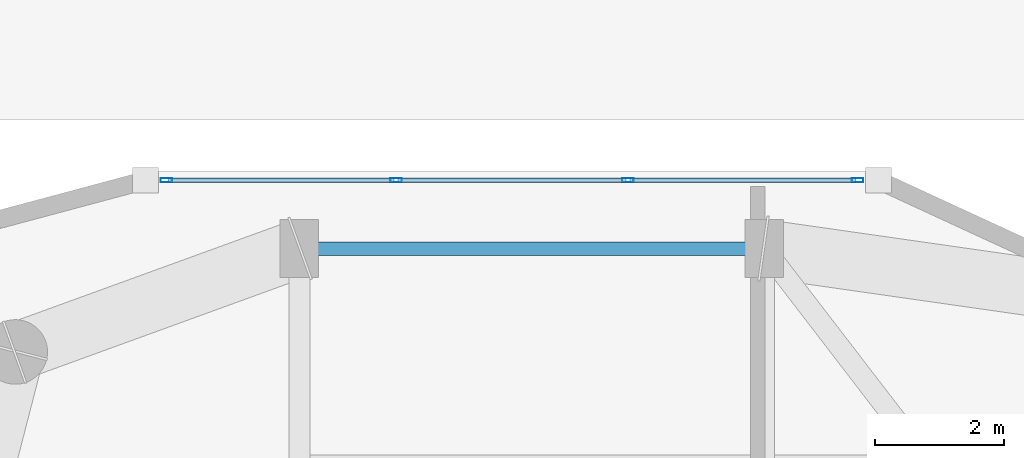
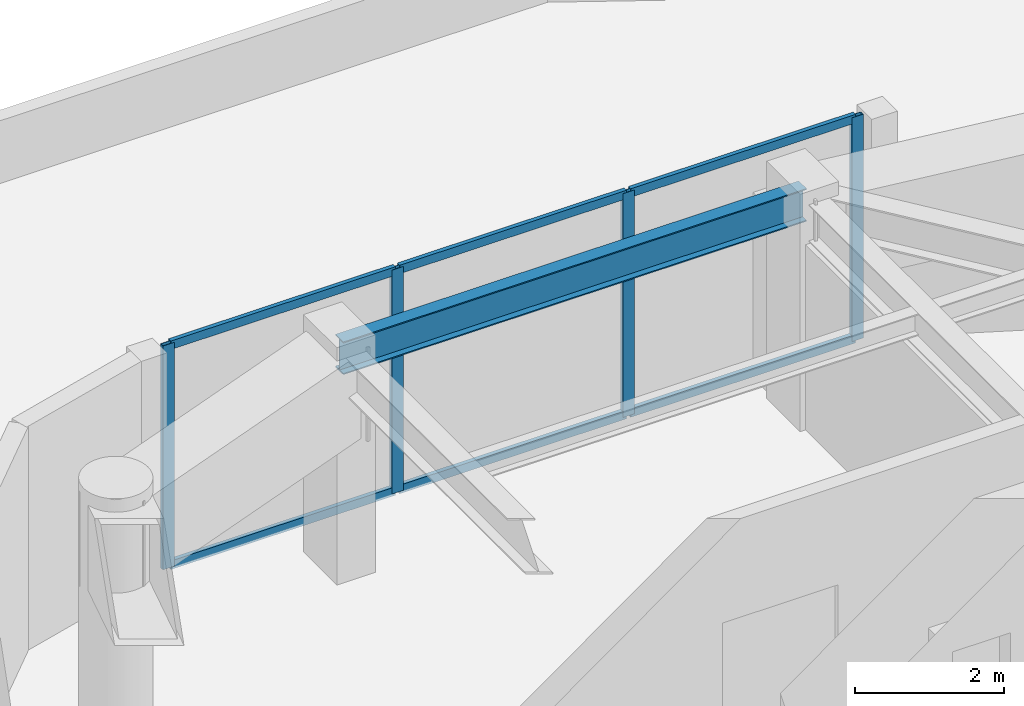
# One storey, part 6 of 16: 10 members, 1 beam, 1 element without a shape of its own.
"""IFC4 building model written with IfcOpenShell, lengths in metres."""

from ifc_helpers import new_model, si_unit, direction, frame, origin, origin_2d, place, context, subcontext, project, spatial, hollow_rectangle, i_section, extrude, material, layer, layer_set, material_profile, profile_set, type_object, element, aggregate, save


model = new_model("IFC4")

# Units and contexts
model_context = context("Model", 3, precision=1e-05, world=origin(), true_north=direction((0.0, 1.0)))
body_context = subcontext(model_context, "Body", "Model", "MODEL_VIEW")
ifc_project = project(units=[si_unit("LENGTHUNIT", "METRE"), si_unit("AREAUNIT", "SQUARE_METRE"), si_unit("VOLUMEUNIT", "CUBIC_METRE"), si_unit("PLANEANGLEUNIT", "RADIAN"), si_unit("MASSUNIT", "GRAM", prefix="KILO")], contexts=[model_context])

# Site, building, storey
site_placement = place(None, origin())
site = spatial("IfcSite", under=ifc_project, at=site_placement, CompositionType="ELEMENT")
building_placement = place(site_placement, origin())
building = spatial("IfcBuilding", under=site, at=building_placement, Name="Kiyonajd Concourse Tower", CompositionType="ELEMENT")
storey_placement = place(building_placement, frame((0.0, 0.0, 255.0)))
storey = spatial("IfcBuildingStorey", under=building, at=storey_placement, Name="L64", CompositionType="ELEMENT", Elevation=255.0)

# Beam
ifc_material_1 = material(Name="Steel ASTM A992 Grade 50", Category="steel")
ifc_material_profile_1 = material_profile(ifc_material_1, i_section(OverallWidth=0.2109375, OverallDepth=0.5390625, WebThickness=0.01171875, FlangeThickness=0.018798828125, at=origin_2d()), Name="W530X109")
ifc_profile_set_1 = profile_set([ifc_material_profile_1], Name="Steel ASTM A992 Grade 50")
beam_type = type_object("IfcBeamType", Name="BM-SPAN-530B", PredefinedType="SPANDREL", material=ifc_profile_set_1)
beam_placement = place(storey_placement, frame((39.60009765625, 52.199951171875, 3.410400390625), z_axis=(-1.0, 0.0, 0.0), x_axis=(0.0, -1.0, 0.0)))
element("IfcBeam", 1, at=beam_placement, inside=storey, type_object=beam_type, Name="L64 Perimeter Bundled Tube Spandrel", PredefinedType="SPANDREL", context=body_context, shape_type="SweptSolid", body=[
    extrude(i_section(OverallWidth=0.2109375, OverallDepth=0.5390625, WebThickness=0.01171875, FlangeThickness=0.018798828125, at=origin_2d()), origin(), (0.0, 0.0, 1.0), 7.2001953125),
])

# Curtain wall, members
ifc_material_2 = material(Name="Thermally Broken Anodised Aluminium", Category="aluminium")
ifc_layer = layer(ifc_material_2, 0.179931640625)
ifc_layer_set = layer_set([ifc_layer], Name="Thermally Broken Anodised Aluminium")
curtain_wall_type = type_object("IfcCurtainWallType", Name="CW-SYS-04", PredefinedType="NOTDEFINED", material=ifc_layer_set)
curtain_wall_placement = place(storey_placement, origin())
curtain_wall = element("IfcCurtainWall", 2, at=curtain_wall_placement, inside=storey, type_object=curtain_wall_type, Name="L64 Unitised Curtain Wall CW4", PredefinedType="NOTDEFINED")
ifc_material_profile_2 = material_profile(ifc_material_2, hollow_rectangle(XDim=0.06494140625, YDim=0.179931640625, WallThickness=0.00390625, at=origin_2d()), Name="MULL-65x180")
ifc_profile_set_2 = profile_set([ifc_material_profile_2], Name="Thermally Broken Anodised Aluminium")
member_type_1 = type_object("IfcMemberType", Name="MB-CW-MULL1", PredefinedType="MULLION", material=ifc_profile_set_2)
member_1_placement = place(storey_placement, frame((30.3408203125, 53.260009765625, 0.0), z_axis=(0.0, 0.0, 1.0), x_axis=(0.0, 1.0, 0.0)))
member_1 = element("IfcMember", 3, at=member_1_placement, type_object=member_type_1, Name="CW4 mullion 1", PredefinedType="MULLION", context=body_context, shape_type="SweptSolid", body=[
    extrude(hollow_rectangle(XDim=0.06494140625, YDim=0.179931640625, WallThickness=0.00390625, at=origin_2d()), origin(), (0.0, 0.0, 1.0), 3.679931640625),
])
member_2_placement = place(storey_placement, frame((33.898681640625, 53.260009765625, 0.0), z_axis=(0.0, 0.0, 1.0), x_axis=(0.0, 1.0, 0.0)))
member_2 = element("IfcMember", 4, at=member_2_placement, type_object=member_type_1, Name="CW4 mullion 2", PredefinedType="MULLION", context=body_context, shape_type="SweptSolid", body=[
    extrude(hollow_rectangle(XDim=0.06494140625, YDim=0.179931640625, WallThickness=0.00390625, at=origin_2d()), origin(), (0.0, 0.0, 1.0), 3.679931640625),
])
member_3_placement = place(storey_placement, frame((37.489013671875, 53.260009765625, 0.0), z_axis=(0.0, 0.0, 1.0), x_axis=(0.0, 1.0, 0.0)))
member_3 = element("IfcMember", 5, at=member_3_placement, type_object=member_type_1, Name="CW4 mullion 3", PredefinedType="MULLION", context=body_context, shape_type="SweptSolid", body=[
    extrude(hollow_rectangle(XDim=0.06494140625, YDim=0.179931640625, WallThickness=0.00390625, at=origin_2d()), origin(), (0.0, 0.0, 1.0), 3.679931640625),
])
member_4_placement = place(storey_placement, frame((41.046875, 53.260009765625, 0.0), z_axis=(0.0, 0.0, 1.0), x_axis=(0.0, 1.0, 0.0)))
member_4 = element("IfcMember", 6, at=member_4_placement, type_object=member_type_1, Name="CW4 mullion 4", PredefinedType="MULLION", context=body_context, shape_type="SweptSolid", body=[
    extrude(hollow_rectangle(XDim=0.06494140625, YDim=0.179931640625, WallThickness=0.00390625, at=origin_2d()), origin(), (0.0, 0.0, 1.0), 3.679931640625),
])
ifc_material_profile_3 = material_profile(ifc_material_2, hollow_rectangle(XDim=0.06494140625, YDim=0.139892578125, WallThickness=0.00390625, at=origin_2d()), Name="TRAN-65x140")
ifc_profile_set_3 = profile_set([ifc_material_profile_3], Name="Thermally Broken Anodised Aluminium")
member_type_2 = type_object("IfcMemberType", Name="MB-CW-TRAN1", PredefinedType="USERDEFINED", material=ifc_profile_set_3)
member_5_placement = place(storey_placement, frame((30.373291015625, 53.260009765625, 0.032470703125), z_axis=(1.0, 0.0, 0.0), x_axis=(0.0, 1.0, 0.0)))
member_5 = element("IfcMember", 7, at=member_5_placement, type_object=member_type_2, Name="CW4 transom 1.1", ObjectType="TRANSOM", PredefinedType="USERDEFINED", context=body_context, shape_type="SweptSolid", body=[
    extrude(hollow_rectangle(XDim=0.06494140625, YDim=0.139892578125, WallThickness=0.00390625, at=origin_2d()), origin(), (0.0, 0.0, 1.0), 3.492919921875),
])
member_6_placement = place(storey_placement, frame((30.373291015625, 53.260009765625, 3.6474609375), z_axis=(1.0, 0.0, 0.0), x_axis=(0.0, 1.0, 0.0)))
member_6 = element("IfcMember", 8, at=member_6_placement, type_object=member_type_2, Name="CW4 transom 1.2", ObjectType="TRANSOM", PredefinedType="USERDEFINED", context=body_context, shape_type="SweptSolid", body=[
    extrude(hollow_rectangle(XDim=0.06494140625, YDim=0.139892578125, WallThickness=0.00390625, at=origin_2d()), origin(), (0.0, 0.0, 1.0), 3.492919921875),
])
member_7_placement = place(storey_placement, frame((33.93115234375, 53.260009765625, 0.032470703125), z_axis=(1.0, 0.0, 0.0), x_axis=(0.0, 1.0, 0.0)))
member_7 = element("IfcMember", 9, at=member_7_placement, type_object=member_type_2, Name="CW4 transom 2.1", ObjectType="TRANSOM", PredefinedType="USERDEFINED", context=body_context, shape_type="SweptSolid", body=[
    extrude(hollow_rectangle(XDim=0.06494140625, YDim=0.139892578125, WallThickness=0.00390625, at=origin_2d()), origin(), (0.0, 0.0, 1.0), 3.525390625),
])
member_8_placement = place(storey_placement, frame((33.93115234375, 53.260009765625, 3.6474609375), z_axis=(1.0, 0.0, 0.0), x_axis=(0.0, 1.0, 0.0)))
member_8 = element("IfcMember", 10, at=member_8_placement, type_object=member_type_2, Name="CW4 transom 2.2", ObjectType="TRANSOM", PredefinedType="USERDEFINED", context=body_context, shape_type="SweptSolid", body=[
    extrude(hollow_rectangle(XDim=0.06494140625, YDim=0.139892578125, WallThickness=0.00390625, at=origin_2d()), origin(), (0.0, 0.0, 1.0), 3.525390625),
])
member_9_placement = place(storey_placement, frame((37.521484375, 53.260009765625, 0.032470703125), z_axis=(1.0, 0.0, 0.0), x_axis=(0.0, 1.0, 0.0)))
member_9 = element("IfcMember", 11, at=member_9_placement, type_object=member_type_2, Name="CW4 transom 3.1", ObjectType="TRANSOM", PredefinedType="USERDEFINED", context=body_context, shape_type="SweptSolid", body=[
    extrude(hollow_rectangle(XDim=0.06494140625, YDim=0.139892578125, WallThickness=0.00390625, at=origin_2d()), origin(), (0.0, 0.0, 1.0), 3.492919921875),
])
member_10_placement = place(storey_placement, frame((37.521484375, 53.260009765625, 3.6474609375), z_axis=(1.0, 0.0, 0.0), x_axis=(0.0, 1.0, 0.0)))
member_10 = element("IfcMember", 12, at=member_10_placement, type_object=member_type_2, Name="CW4 transom 3.2", ObjectType="TRANSOM", PredefinedType="USERDEFINED", context=body_context, shape_type="SweptSolid", body=[
    extrude(hollow_rectangle(XDim=0.06494140625, YDim=0.139892578125, WallThickness=0.00390625, at=origin_2d()), origin(), (0.0, 0.0, 1.0), 3.492919921875),
])
aggregate(curtain_wall, [member_1, member_2, member_3, member_4, member_5, member_6, member_7, member_8, member_9, member_10])

save(model, "model.ifc")
